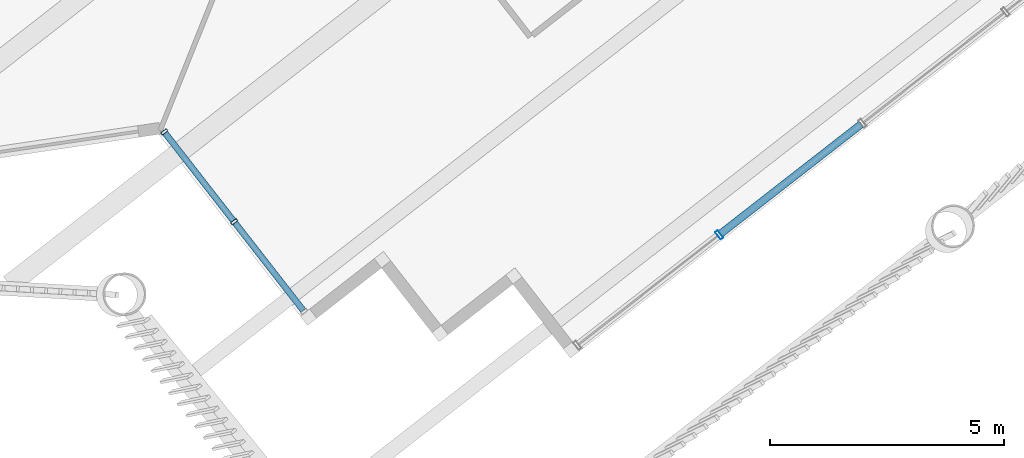
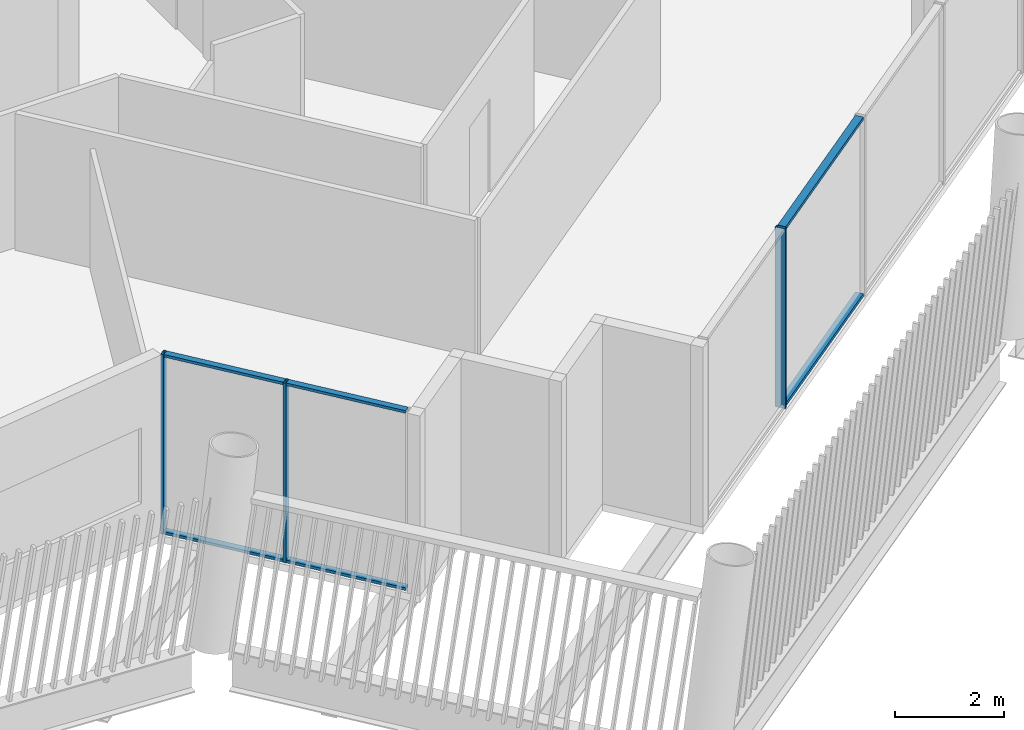
# One storey, part 10 of 28: 9 members, 2 elements without a shape of their own.
"""IFC4 building model written with IfcOpenShell, lengths in metres."""

import ifcopenshell
import ifcopenshell.guid

model = None  # the IFC model being written
_history = None  # IfcOwnerHistory: only IFC2X3 demands one
_inside = {}  # id of a spatial element -> (the spatial element, [elements in it])
_under = {}  # id of a project, library or spatial element -> (it, [spatial elements below it])
_declared = {}  # id of a project -> (the project, [libraries it declares])
_typed = {}  # id of a type object -> (the type object, [elements of that type])
_made_of = {}  # id of a material, layer set ... -> (it, [elements and type objects made of it])


def new_model(schema):
    """Start an empty IFC model of exactly this schema.

    Asked for "IFC4X3", IfcOpenShell would pick the latest addendum, in which some entities
    have other attributes; the version numbers below select the first issue.
    IFC2X3 requires an IfcOwnerHistory on every rooted entity: one is made here for all.
    """
    global model, _history
    if schema == "IFC4X3":
        model = ifcopenshell.file(schema_version=(4, 3, 0, 0))
    else:
        model = ifcopenshell.file(schema=schema)
    _inside.clear()
    _under.clear()
    _declared.clear()
    _typed.clear()
    _made_of.clear()
    _history = None
    if model.schema == "IFC2X3":
        org = make("IfcOrganization", Name="unknown")
        user = make(
            "IfcPersonAndOrganization",
            ThePerson=make("IfcPerson", FamilyName="unknown"),
            TheOrganization=org,
        )
        app = make(
            "IfcApplication",
            ApplicationDeveloper=org,
            Version="unknown",
            ApplicationFullName="unknown",
            ApplicationIdentifier="unknown",
        )
        _history = make(
            "IfcOwnerHistory",
            OwningUser=user,
            OwningApplication=app,
            ChangeAction="ADDED",
            CreationDate=0,
        )
    return model


def make(cls, **values):
    """One entity of the class cls with the attributes given. An attribute that is None is left unset."""
    return model.create_entity(
        cls, **{name: value for name, value in values.items() if value is not None}
    )


def rooted(cls, **values):
    """An entity with a GlobalId (a new one), such as an element, a storey or a relation."""
    return make(cls, GlobalId=ifcopenshell.guid.new(), OwnerHistory=_history, **values)


def si_unit(unit_type, name, prefix=None):
    """IfcSIUnit, for example si_unit("LENGTHUNIT", "METRE", prefix="MILLI")."""
    return make("IfcSIUnit", UnitType=unit_type, Prefix=prefix, Name=name)


def assignment(units):
    """IfcUnitAssignment: the units of a project."""
    return None if units is None else make("IfcUnitAssignment", Units=units)


def point(xyz):
    """IfcCartesianPoint."""
    return None if xyz is None else make("IfcCartesianPoint", Coordinates=xyz)


def direction(xyz):
    """IfcDirection."""
    return None if xyz is None else make("IfcDirection", DirectionRatios=xyz)


def frame(location, z_axis=None, x_axis=None):
    """IfcAxis2Placement3D, a coordinate frame: its origin and axes. An axis left out is left unset."""
    return make(
        "IfcAxis2Placement3D",
        Location=point(location),
        Axis=direction(z_axis),
        RefDirection=direction(x_axis),
    )


def frame_2d(location, x_axis=None):
    """IfcAxis2Placement2D, a coordinate frame in the plane: its origin and x axis."""
    return make(
        "IfcAxis2Placement2D", Location=point(location), RefDirection=direction(x_axis)
    )


def origin():
    """The frame at (0, 0, 0) with its axes left unset."""
    return frame((0.0, 0.0, 0.0))


def origin_2d():
    """The frame at (0, 0) in the plane with its x axis left unset."""
    return frame_2d((0.0, 0.0))


def place(relative_to, where):
    """IfcLocalPlacement: puts the frame where relative to a parent placement (None: the world)."""
    return make(
        "IfcLocalPlacement", PlacementRelTo=relative_to, RelativePlacement=where
    )


def context(
    kind, dimensions, precision=None, world=None, true_north=None, identifier=None
):
    """IfcGeometricRepresentationContext, for example the 3D "Model" context."""
    return make(
        "IfcGeometricRepresentationContext",
        ContextIdentifier=identifier,
        ContextType=kind,
        CoordinateSpaceDimension=dimensions,
        Precision=precision,
        WorldCoordinateSystem=world,
        TrueNorth=true_north,
    )


def subcontext(parent, identifier, kind, view, scale=None):
    """IfcGeometricRepresentationSubContext, for example "Body" below "Model"."""
    return make(
        "IfcGeometricRepresentationSubContext",
        ContextIdentifier=identifier,
        ContextType=kind,
        ParentContext=parent,
        TargetScale=scale,
        TargetView=view,
    )


def project(units=None, contexts=None):
    """IfcProject with its units and contexts."""
    return rooted(
        "IfcProject",
        Name="project",
        RepresentationContexts=contexts,
        UnitsInContext=assignment(units),
    )


def spatial(cls, under=None, at=None, **own):
    """A site, building, storey or space (cls), placed at a placement, below another one or the project."""
    s = rooted(cls, ObjectPlacement=at, **own)
    if under is not None:
        _under.setdefault(under.id(), (under, []))[1].append(s)
    return s


def profile(cls, at=None, kind="AREA", **sizes):
    """A parametric profile (cls). Its sizes go by their IFC names, for example OverallWidth=200.0."""
    return make(cls, ProfileType=kind, Position=at, **sizes)


def hollow_rectangle(**sizes):
    """IfcRectangleHollowProfileDef."""
    return profile("IfcRectangleHollowProfileDef", **sizes)


def extrude(swept, where, along, depth):
    """IfcExtrudedAreaSolid: the profile swept, set in the frame where, extruded along a direction by depth."""
    return make(
        "IfcExtrudedAreaSolid",
        SweptArea=swept,
        Position=where,
        ExtrudedDirection=direction(along),
        Depth=depth,
    )


def shape(context_of_items, identifier, shape_type, items):
    """IfcShapeRepresentation: the items that make up one representation, for example the "Body"."""
    return make(
        "IfcShapeRepresentation",
        ContextOfItems=context_of_items,
        RepresentationIdentifier=identifier,
        RepresentationType=shape_type,
        Items=items,
    )


def material(Name=None, Category=None):
    """IfcMaterial."""
    return make("IfcMaterial", Name=Name, Category=Category)


def layer(
    of_material, thickness, ventilated=None, Name=None, Category=None, Priority=None
):
    """IfcMaterialLayer: one layer of a wall or slab, of a material (None: an air gap)."""
    return make(
        "IfcMaterialLayer",
        Material=of_material,
        LayerThickness=thickness,
        IsVentilated=ventilated,
        Name=Name,
        Category=Category,
        Priority=Priority,
    )


def layer_set(layers, Name=None):
    """IfcMaterialLayerSet."""
    return make("IfcMaterialLayerSet", MaterialLayers=layers, LayerSetName=Name)


def material_profile(
    of_material, cross_section, Name=None, Category=None, Priority=None
):
    """IfcMaterialProfile: a cross section and its material."""
    return make(
        "IfcMaterialProfile",
        Name=Name,
        Material=of_material,
        Profile=cross_section,
        Priority=Priority,
        Category=Category,
    )


def profile_set(profiles, Name=None, composite=None):
    """IfcMaterialProfileSet."""
    return make(
        "IfcMaterialProfileSet",
        Name=Name,
        MaterialProfiles=profiles,
        CompositeProfile=composite,
    )


def made_of(thing, what):
    """Note that an element or type object is made of a material, layer set ...; save() writes the relation."""
    if what is not None:
        _made_of.setdefault(what.id(), (what, []))[1].append(thing)
    return thing


def type_object(cls, material=None, **own):
    """A type object (cls), such as IfcWallType, which elements share."""
    return made_of(rooted(cls, **own), material)


def element(
    cls,
    number,
    at=None,
    inside=None,
    cuts=None,
    type_object=None,
    material=None,
    context=None,
    identifier="Body",
    shape_type=None,
    held_by="IfcProductDefinitionShape",
    body=None,
    shapes=None,
    **own,
):
    """One element of the class cls, such as IfcWall. Its Tag is "e" and its number.

    at: its placement. inside: the storey or other place that contains it. cuts: it is an
    opening in that element (IfcRelVoidsElement). A single representation is given by context,
    identifier, shape_type and body (its items); several are given by shapes. held_by: the class
    of the entity that holds the representations. save() writes the other relations.
    """
    e = rooted(cls, Tag="e%d" % number, ObjectPlacement=at, **own)
    if body is not None:
        shapes = [shape(context, identifier, shape_type, body)]
    if shapes is not None:
        e.Representation = make(held_by, Representations=shapes)
    if inside is not None:
        _inside.setdefault(inside.id(), (inside, []))[1].append(e)
    if cuts is not None:
        rooted(
            "IfcRelVoidsElement", RelatingBuildingElement=cuts, RelatedOpeningElement=e
        )
    if type_object is not None:
        _typed.setdefault(type_object.id(), (type_object, []))[1].append(e)
    return made_of(e, material)


def aggregate(whole, parts):
    """IfcRelAggregates: a whole, such as a stair, and the parts it consists of."""
    return rooted("IfcRelAggregates", RelatingObject=whole, RelatedObjects=parts)


def save(model, path):
    """Write the relations noted so far, then the file.

    IfcRelAggregates (storeys below a building ...), IfcRelContainedInSpatialStructure (elements
    in a storey), IfcRelDefinesByType, IfcRelAssociatesMaterial and IfcRelDeclares: one each for
    every whole, place, type object, material and project.
    """
    for whole, parts in _under.values():
        aggregate(whole, parts)
    for where, things in _inside.values():
        rooted(
            "IfcRelContainedInSpatialStructure",
            RelatedElements=things,
            RelatingStructure=where,
        )
    for kind, things in _typed.values():
        rooted("IfcRelDefinesByType", RelatedObjects=things, RelatingType=kind)
    for what, things in _made_of.values():
        rooted("IfcRelAssociatesMaterial", RelatedObjects=things, RelatingMaterial=what)
    for by, libraries in _declared.values():
        rooted("IfcRelDeclares", RelatingContext=by, RelatedDefinitions=libraries)
    model.write(path)


model = new_model("IFC4")

# Units and contexts
model_context = context("Model", 3, precision=1e-05, world=origin(), true_north=direction((0.0, 1.0)))
body_context = subcontext(model_context, "Body", "Model", "MODEL_VIEW")
ifc_project = project(units=[si_unit("LENGTHUNIT", "METRE"), si_unit("AREAUNIT", "SQUARE_METRE"), si_unit("VOLUMEUNIT", "CUBIC_METRE"), si_unit("PLANEANGLEUNIT", "RADIAN"), si_unit("MASSUNIT", "GRAM", prefix="KILO")], contexts=[model_context])

# Site, building, storey
site_placement = place(None, origin())
site = spatial("IfcSite", under=ifc_project, at=site_placement, CompositionType="ELEMENT")
building_placement = place(site_placement, origin())
building = spatial("IfcBuilding", under=site, at=building_placement, Name="Tarsis Ring Headquarters", CompositionType="ELEMENT")
storey_placement = place(building_placement, frame((0.0, 0.0, 381.800048828125)))
storey = spatial("IfcBuildingStorey", under=building, at=storey_placement, Name="L90", CompositionType="ELEMENT", Elevation=381.800048828125)

# Curtain wall, member
ifc_material_1 = material(Name="Aluminium curtain wall", Category="aluminium")
ifc_layer_1 = layer(ifc_material_1, 0.199951171875)
ifc_layer_set_1 = layer_set([ifc_layer_1], Name="Curtain wall executive tip")
curtain_wall_type_1 = type_object("IfcCurtainWallType", Name="Curtain wall executive tip", PredefinedType="NOTDEFINED", material=ifc_layer_set_1)
curtain_wall_1_placement = place(storey_placement, origin())
curtain_wall_1 = element("IfcCurtainWall", 1, at=curtain_wall_1_placement, inside=storey, type_object=curtain_wall_type_1, Name="Curtain wall L90-11", PredefinedType="NOTDEFINED")
ifc_material_2 = material(Name="Aluminium mullion", Category="aluminium")
ifc_material_profile_1 = material_profile(ifc_material_2, hollow_rectangle(XDim=0.199951171875, YDim=0.070068359375, WallThickness=0.0048828125, at=origin_2d()), Name="RHS 200x70x5")
ifc_profile_set_1 = profile_set([ifc_material_profile_1], Name="Aluminium mullion")
member_type_1 = type_object("IfcMemberType", Name="Curtain wall mullion executive tip RHS 200x70x5", PredefinedType="MULLION", material=ifc_profile_set_1)
member_1_placement = place(storey_placement, frame((16.5322265625, -27.526611328125, 0.0), z_axis=(0.0, 0.0, 1.0), x_axis=(-0.61456055753, 0.788869647742, 0.0)))
member_1 = element("IfcMember", 2, at=member_1_placement, type_object=member_type_1, Name="CW-E mullion 2", PredefinedType="MULLION", context=body_context, shape_type="SweptSolid", body=[
    extrude(hollow_rectangle(XDim=0.199951171875, YDim=0.070068359375, WallThickness=0.0048828125, at=origin_2d()), origin(), (0.0, 0.0, 1.0), 4.0400390625),
])

# Curtain wall, members
ifc_layer_2 = layer(ifc_material_1, 0.14990234375)
ifc_layer_set_2 = layer_set([ifc_layer_2], Name="Curtain wall tower unit")
curtain_wall_type_2 = type_object("IfcCurtainWallType", Name="Curtain wall tower unit", PredefinedType="NOTDEFINED", material=ifc_layer_set_2)
curtain_wall_2_placement = place(storey_placement, origin())
curtain_wall_2 = element("IfcCurtainWall", 3, at=curtain_wall_2_placement, inside=storey, type_object=curtain_wall_type_2, Name="Curtain wall L90-06", PredefinedType="NOTDEFINED")
ifc_material_profile_2 = material_profile(ifc_material_2, hollow_rectangle(XDim=0.14990234375, YDim=0.06005859375, WallThickness=0.0048828125, at=origin_2d()), Name="RHS 150x60x5")
ifc_profile_set_2 = profile_set([ifc_material_profile_2], Name="Aluminium mullion")
member_type_2 = type_object("IfcMemberType", Name="Curtain wall mullion tower unit RHS 150x60x5", PredefinedType="MULLION", material=ifc_profile_set_2)
member_2_placement = place(storey_placement, frame((4.6796875, -25.329833984375, 0.0), z_axis=(0.0, 0.0, 1.0), x_axis=(0.78886968819, 0.61456050561, 0.0)))
member_2 = element("IfcMember", 4, at=member_2_placement, type_object=member_type_2, Name="CW-T mullion 1", PredefinedType="MULLION", context=body_context, shape_type="SweptSolid", body=[
    extrude(hollow_rectangle(XDim=0.14990234375, YDim=0.06005859375, WallThickness=0.0048828125, at=origin_2d()), origin(), (0.0, 0.0, 1.0), 4.0400390625),
])
member_3_placement = place(storey_placement, frame((6.173828125, -27.24755859375, 0.0), z_axis=(0.0, 0.0, 1.0), x_axis=(0.78886968819, 0.61456050561, 0.0)))
member_3 = element("IfcMember", 5, at=member_3_placement, type_object=member_type_2, Name="CW-T mullion 2", PredefinedType="MULLION", context=body_context, shape_type="SweptSolid", body=[
    extrude(hollow_rectangle(XDim=0.14990234375, YDim=0.06005859375, WallThickness=0.0048828125, at=origin_2d()), origin(), (0.0, 0.0, 1.0), 4.0400390625),
])

# Member
ifc_material_3 = material(Name="Aluminium transom", Category="aluminium")
ifc_material_profile_3 = material_profile(ifc_material_3, hollow_rectangle(XDim=0.159912109375, YDim=0.070068359375, WallThickness=0.0048828125, at=origin_2d()), Name="RHS 160x70x5")
ifc_profile_set_3 = profile_set([ifc_material_profile_3], Name="Aluminium transom")
member_type_3 = type_object("IfcMemberType", Name="Curtain wall transom executive tip RHS 160x70x5", PredefinedType="USERDEFINED", material=ifc_profile_set_3)
member_4_placement = place(storey_placement, frame((16.559814453125, -27.505126953125, 0.034912109375), z_axis=(0.78887866053, 0.614548988252, 0.0), x_axis=(-0.614548988252, 0.78887866053, 0.0)))
member_4 = element("IfcMember", 6, at=member_4_placement, type_object=member_type_3, Name="CW-E transom 2.1", ObjectType="TRANSOM", PredefinedType="USERDEFINED", context=body_context, shape_type="SweptSolid", body=[
    extrude(hollow_rectangle(XDim=0.159912109375, YDim=0.070068359375, WallThickness=0.0048828125, at=origin_2d()), origin(), (0.0, 0.0, 1.0), 3.804931640625),
])

member_5_placement = place(storey_placement, frame((16.559814453125, -27.505126953125, 4.0048828125), z_axis=(0.78887866053, 0.614548988252, 0.0), x_axis=(-0.614548988252, 0.78887866053, 0.0)))
member_5 = element("IfcMember", 7, at=member_5_placement, type_object=member_type_3, Name="CW-E transom 2.2", ObjectType="TRANSOM", PredefinedType="USERDEFINED", context=body_context, shape_type="SweptSolid", body=[
    extrude(hollow_rectangle(XDim=0.159912109375, YDim=0.070068359375, WallThickness=0.0048828125, at=origin_2d()), origin(), (0.0, 0.0, 1.0), 3.804931640625),
])

aggregate(curtain_wall_1, [member_1, member_4, member_5])

ifc_material_profile_4 = material_profile(ifc_material_3, hollow_rectangle(XDim=0.1298828125, YDim=0.06005859375, WallThickness=0.0048828125, at=origin_2d()), Name="RHS 130x60x5")
ifc_profile_set_4 = profile_set([ifc_material_profile_4], Name="Aluminium transom")
member_type_4 = type_object("IfcMemberType", Name="Curtain wall transom tower unit RHS 130x60x5", PredefinedType="USERDEFINED", material=ifc_profile_set_4)
member_6_placement = place(storey_placement, frame((4.6982421875, -25.353515625, 0.030029296875), z_axis=(0.614546392593, -0.788880682582, 0.0), x_axis=(0.788880682582, 0.614546392593, 0.0)))
member_6 = element("IfcMember", 8, at=member_6_placement, type_object=member_type_4, Name="CW-T transom 1.1", ObjectType="TRANSOM", PredefinedType="USERDEFINED", context=body_context, shape_type="SweptSolid", body=[
    extrude(hollow_rectangle(XDim=0.1298828125, YDim=0.06005859375, WallThickness=0.0048828125, at=origin_2d()), origin(), (0.0, 0.0, 1.0), 2.370849609375),
])

member_7_placement = place(storey_placement, frame((4.6982421875, -25.353515625, 4.010009765625), z_axis=(0.614546392593, -0.788880682582, 0.0), x_axis=(0.788880682582, 0.614546392593, 0.0)))
member_7 = element("IfcMember", 9, at=member_7_placement, type_object=member_type_4, Name="CW-T transom 1.2", ObjectType="TRANSOM", PredefinedType="USERDEFINED", context=body_context, shape_type="SweptSolid", body=[
    extrude(hollow_rectangle(XDim=0.1298828125, YDim=0.06005859375, WallThickness=0.0048828125, at=origin_2d()), origin(), (0.0, 0.0, 1.0), 2.370849609375),
])

member_8_placement = place(storey_placement, frame((6.192138671875, -27.271240234375, 0.030029296875), z_axis=(0.614610470346, -0.788830761153, 0.0), x_axis=(0.788830761153, 0.614610470346, 0.0)))
member_8 = element("IfcMember", 10, at=member_8_placement, type_object=member_type_4, Name="CW-T transom 2.1", ObjectType="TRANSOM", PredefinedType="USERDEFINED", context=body_context, shape_type="SweptSolid", body=[
    extrude(hollow_rectangle(XDim=0.1298828125, YDim=0.06005859375, WallThickness=0.0048828125, at=origin_2d()), origin(), (0.0, 0.0, 1.0), 2.37109375),
])

member_9_placement = place(storey_placement, frame((6.192138671875, -27.271240234375, 4.010009765625), z_axis=(0.614610470346, -0.788830761153, 0.0), x_axis=(0.788830761153, 0.614610470346, 0.0)))
member_9 = element("IfcMember", 11, at=member_9_placement, type_object=member_type_4, Name="CW-T transom 2.2", ObjectType="TRANSOM", PredefinedType="USERDEFINED", context=body_context, shape_type="SweptSolid", body=[
    extrude(hollow_rectangle(XDim=0.1298828125, YDim=0.06005859375, WallThickness=0.0048828125, at=origin_2d()), origin(), (0.0, 0.0, 1.0), 2.37109375),
])

aggregate(curtain_wall_2, [member_2, member_3, member_6, member_7, member_8, member_9])

save(model, "model.ifc")
